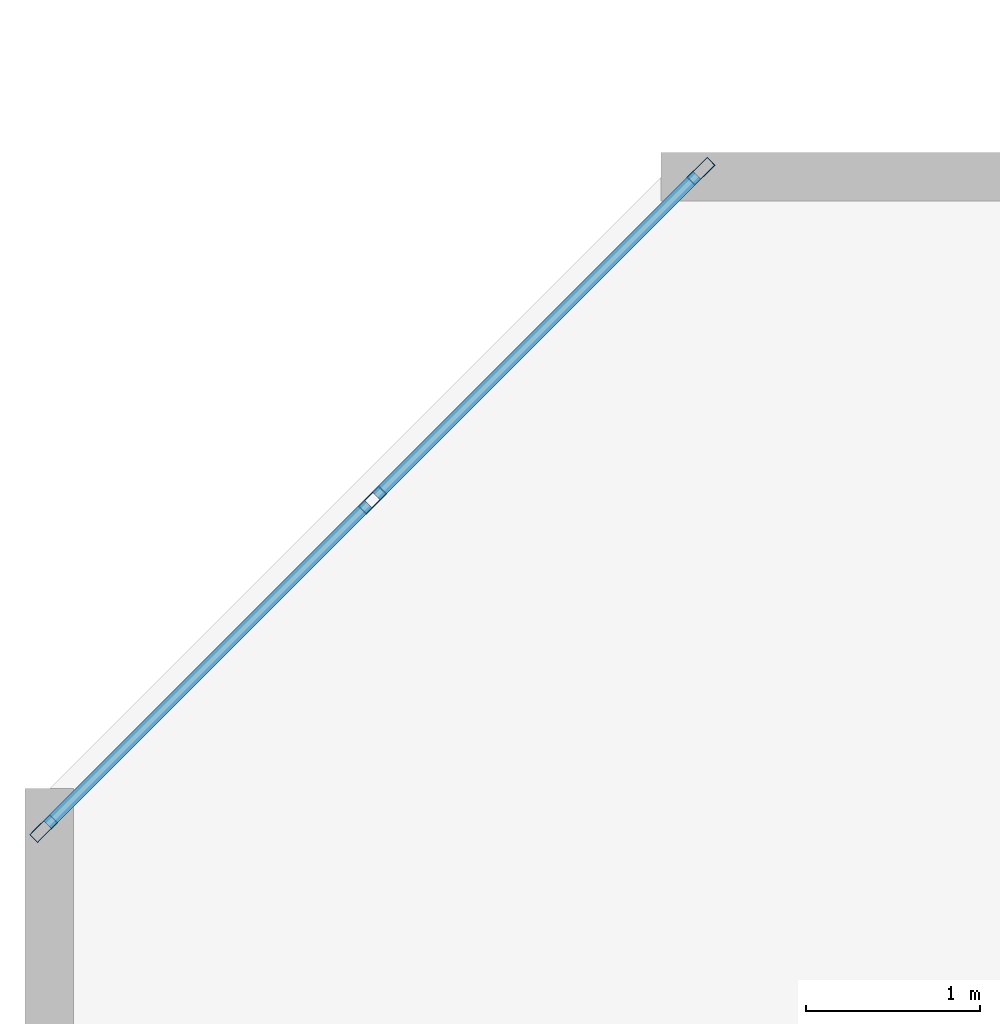
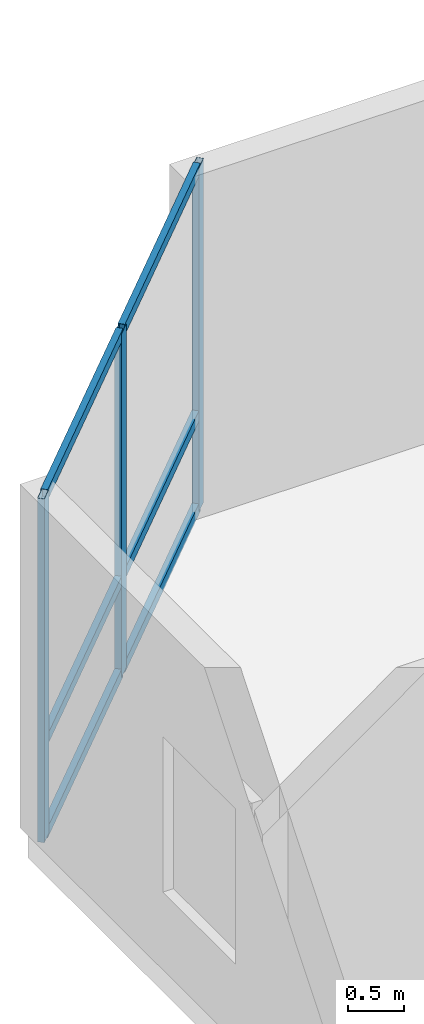
# One storey, part 2 of 10: 9 members, 1 element without a shape of its own.
"""IFC4 building model written with IfcOpenShell, lengths in metres."""

import ifcopenshell
import ifcopenshell.guid

model = None  # the IFC model being written
_history = None  # IfcOwnerHistory: only IFC2X3 demands one
_inside = {}  # id of a spatial element -> (the spatial element, [elements in it])
_under = {}  # id of a project, library or spatial element -> (it, [spatial elements below it])
_declared = {}  # id of a project -> (the project, [libraries it declares])
_typed = {}  # id of a type object -> (the type object, [elements of that type])
_made_of = {}  # id of a material, layer set ... -> (it, [elements and type objects made of it])


def new_model(schema):
    """Start an empty IFC model of exactly this schema.

    Asked for "IFC4X3", IfcOpenShell would pick the latest addendum, in which some entities
    have other attributes; the version numbers below select the first issue.
    IFC2X3 requires an IfcOwnerHistory on every rooted entity: one is made here for all.
    """
    global model, _history
    if schema == "IFC4X3":
        model = ifcopenshell.file(schema_version=(4, 3, 0, 0))
    else:
        model = ifcopenshell.file(schema=schema)
    _inside.clear()
    _under.clear()
    _declared.clear()
    _typed.clear()
    _made_of.clear()
    _history = None
    if model.schema == "IFC2X3":
        org = make("IfcOrganization", Name="unknown")
        user = make(
            "IfcPersonAndOrganization",
            ThePerson=make("IfcPerson", FamilyName="unknown"),
            TheOrganization=org,
        )
        app = make(
            "IfcApplication",
            ApplicationDeveloper=org,
            Version="unknown",
            ApplicationFullName="unknown",
            ApplicationIdentifier="unknown",
        )
        _history = make(
            "IfcOwnerHistory",
            OwningUser=user,
            OwningApplication=app,
            ChangeAction="ADDED",
            CreationDate=0,
        )
    return model


def make(cls, **values):
    """One entity of the class cls with the attributes given. An attribute that is None is left unset."""
    return model.create_entity(
        cls, **{name: value for name, value in values.items() if value is not None}
    )


def rooted(cls, **values):
    """An entity with a GlobalId (a new one), such as an element, a storey or a relation."""
    return make(cls, GlobalId=ifcopenshell.guid.new(), OwnerHistory=_history, **values)


def si_unit(unit_type, name, prefix=None):
    """IfcSIUnit, for example si_unit("LENGTHUNIT", "METRE", prefix="MILLI")."""
    return make("IfcSIUnit", UnitType=unit_type, Prefix=prefix, Name=name)


def assignment(units):
    """IfcUnitAssignment: the units of a project."""
    return None if units is None else make("IfcUnitAssignment", Units=units)


def point(xyz):
    """IfcCartesianPoint."""
    return None if xyz is None else make("IfcCartesianPoint", Coordinates=xyz)


def direction(xyz):
    """IfcDirection."""
    return None if xyz is None else make("IfcDirection", DirectionRatios=xyz)


def frame(location, z_axis=None, x_axis=None):
    """IfcAxis2Placement3D, a coordinate frame: its origin and axes. An axis left out is left unset."""
    return make(
        "IfcAxis2Placement3D",
        Location=point(location),
        Axis=direction(z_axis),
        RefDirection=direction(x_axis),
    )


def frame_2d(location, x_axis=None):
    """IfcAxis2Placement2D, a coordinate frame in the plane: its origin and x axis."""
    return make(
        "IfcAxis2Placement2D", Location=point(location), RefDirection=direction(x_axis)
    )


def origin():
    """The frame at (0, 0, 0) with its axes left unset."""
    return frame((0.0, 0.0, 0.0))


def origin_2d():
    """The frame at (0, 0) in the plane with its x axis left unset."""
    return frame_2d((0.0, 0.0))


def place(relative_to, where):
    """IfcLocalPlacement: puts the frame where relative to a parent placement (None: the world)."""
    return make(
        "IfcLocalPlacement", PlacementRelTo=relative_to, RelativePlacement=where
    )


def context(
    kind, dimensions, precision=None, world=None, true_north=None, identifier=None
):
    """IfcGeometricRepresentationContext, for example the 3D "Model" context."""
    return make(
        "IfcGeometricRepresentationContext",
        ContextIdentifier=identifier,
        ContextType=kind,
        CoordinateSpaceDimension=dimensions,
        Precision=precision,
        WorldCoordinateSystem=world,
        TrueNorth=true_north,
    )


def subcontext(parent, identifier, kind, view, scale=None):
    """IfcGeometricRepresentationSubContext, for example "Body" below "Model"."""
    return make(
        "IfcGeometricRepresentationSubContext",
        ContextIdentifier=identifier,
        ContextType=kind,
        ParentContext=parent,
        TargetScale=scale,
        TargetView=view,
    )


def project(units=None, contexts=None):
    """IfcProject with its units and contexts."""
    return rooted(
        "IfcProject",
        Name="project",
        RepresentationContexts=contexts,
        UnitsInContext=assignment(units),
    )


def spatial(cls, under=None, at=None, **own):
    """A site, building, storey or space (cls), placed at a placement, below another one or the project."""
    s = rooted(cls, ObjectPlacement=at, **own)
    if under is not None:
        _under.setdefault(under.id(), (under, []))[1].append(s)
    return s


def profile(cls, at=None, kind="AREA", **sizes):
    """A parametric profile (cls). Its sizes go by their IFC names, for example OverallWidth=200.0."""
    return make(cls, ProfileType=kind, Position=at, **sizes)


def hollow_rectangle(**sizes):
    """IfcRectangleHollowProfileDef."""
    return profile("IfcRectangleHollowProfileDef", **sizes)


def extrude(swept, where, along, depth):
    """IfcExtrudedAreaSolid: the profile swept, set in the frame where, extruded along a direction by depth."""
    return make(
        "IfcExtrudedAreaSolid",
        SweptArea=swept,
        Position=where,
        ExtrudedDirection=direction(along),
        Depth=depth,
    )


def shape(context_of_items, identifier, shape_type, items):
    """IfcShapeRepresentation: the items that make up one representation, for example the "Body"."""
    return make(
        "IfcShapeRepresentation",
        ContextOfItems=context_of_items,
        RepresentationIdentifier=identifier,
        RepresentationType=shape_type,
        Items=items,
    )


def material(Name=None, Category=None):
    """IfcMaterial."""
    return make("IfcMaterial", Name=Name, Category=Category)


def layer(
    of_material, thickness, ventilated=None, Name=None, Category=None, Priority=None
):
    """IfcMaterialLayer: one layer of a wall or slab, of a material (None: an air gap)."""
    return make(
        "IfcMaterialLayer",
        Material=of_material,
        LayerThickness=thickness,
        IsVentilated=ventilated,
        Name=Name,
        Category=Category,
        Priority=Priority,
    )


def layer_set(layers, Name=None):
    """IfcMaterialLayerSet."""
    return make("IfcMaterialLayerSet", MaterialLayers=layers, LayerSetName=Name)


def material_profile(
    of_material, cross_section, Name=None, Category=None, Priority=None
):
    """IfcMaterialProfile: a cross section and its material."""
    return make(
        "IfcMaterialProfile",
        Name=Name,
        Material=of_material,
        Profile=cross_section,
        Priority=Priority,
        Category=Category,
    )


def profile_set(profiles, Name=None, composite=None):
    """IfcMaterialProfileSet."""
    return make(
        "IfcMaterialProfileSet",
        Name=Name,
        MaterialProfiles=profiles,
        CompositeProfile=composite,
    )


def made_of(thing, what):
    """Note that an element or type object is made of a material, layer set ...; save() writes the relation."""
    if what is not None:
        _made_of.setdefault(what.id(), (what, []))[1].append(thing)
    return thing


def type_object(cls, material=None, **own):
    """A type object (cls), such as IfcWallType, which elements share."""
    return made_of(rooted(cls, **own), material)


def element(
    cls,
    number,
    at=None,
    inside=None,
    cuts=None,
    type_object=None,
    material=None,
    context=None,
    identifier="Body",
    shape_type=None,
    held_by="IfcProductDefinitionShape",
    body=None,
    shapes=None,
    **own,
):
    """One element of the class cls, such as IfcWall. Its Tag is "e" and its number.

    at: its placement. inside: the storey or other place that contains it. cuts: it is an
    opening in that element (IfcRelVoidsElement). A single representation is given by context,
    identifier, shape_type and body (its items); several are given by shapes. held_by: the class
    of the entity that holds the representations. save() writes the other relations.
    """
    e = rooted(cls, Tag="e%d" % number, ObjectPlacement=at, **own)
    if body is not None:
        shapes = [shape(context, identifier, shape_type, body)]
    if shapes is not None:
        e.Representation = make(held_by, Representations=shapes)
    if inside is not None:
        _inside.setdefault(inside.id(), (inside, []))[1].append(e)
    if cuts is not None:
        rooted(
            "IfcRelVoidsElement", RelatingBuildingElement=cuts, RelatedOpeningElement=e
        )
    if type_object is not None:
        _typed.setdefault(type_object.id(), (type_object, []))[1].append(e)
    return made_of(e, material)


def aggregate(whole, parts):
    """IfcRelAggregates: a whole, such as a stair, and the parts it consists of."""
    return rooted("IfcRelAggregates", RelatingObject=whole, RelatedObjects=parts)


def save(model, path):
    """Write the relations noted so far, then the file.

    IfcRelAggregates (storeys below a building ...), IfcRelContainedInSpatialStructure (elements
    in a storey), IfcRelDefinesByType, IfcRelAssociatesMaterial and IfcRelDeclares: one each for
    every whole, place, type object, material and project.
    """
    for whole, parts in _under.values():
        aggregate(whole, parts)
    for where, things in _inside.values():
        rooted(
            "IfcRelContainedInSpatialStructure",
            RelatedElements=things,
            RelatingStructure=where,
        )
    for kind, things in _typed.values():
        rooted("IfcRelDefinesByType", RelatedObjects=things, RelatingType=kind)
    for what, things in _made_of.values():
        rooted("IfcRelAssociatesMaterial", RelatedObjects=things, RelatingMaterial=what)
    for by, libraries in _declared.values():
        rooted("IfcRelDeclares", RelatingContext=by, RelatedDefinitions=libraries)
    model.write(path)


model = new_model("IFC4")

# Units and contexts
model_context = context("Model", 3, precision=1e-05, world=origin(), true_north=direction((0.0, 1.0)))
body_context = subcontext(model_context, "Body", "Model", "MODEL_VIEW")
ifc_project = project(units=[si_unit("LENGTHUNIT", "METRE"), si_unit("AREAUNIT", "SQUARE_METRE"), si_unit("VOLUMEUNIT", "CUBIC_METRE"), si_unit("PLANEANGLEUNIT", "RADIAN"), si_unit("MASSUNIT", "GRAM", prefix="KILO")], contexts=[model_context])

# Site, building, storey
site_placement = place(None, origin())
site = spatial("IfcSite", under=ifc_project, at=site_placement, CompositionType="ELEMENT")
building_placement = place(site_placement, origin())
building = spatial("IfcBuilding", under=site, at=building_placement, Name="Kestravale Grand Hotel", CompositionType="ELEMENT")
storey_placement = place(building_placement, frame((0.0, 0.0, 281.39990234375)))
storey = spatial("IfcBuildingStorey", under=building, at=storey_placement, Name="L70", CompositionType="ELEMENT", Elevation=281.39990234375)

# Curtain wall, members
ifc_material_1 = material(Name="Thermally broken champagne-bronze aluminium and low-E glazing", Category="aluminium")
ifc_layer = layer(ifc_material_1, 0.179931640625)
ifc_layer_set = layer_set([ifc_layer], Name="CW-Z4")
curtain_wall_type = type_object("IfcCurtainWallType", Name="CW-Z4", PredefinedType="NOTDEFINED", material=ifc_layer_set)
curtain_wall_placement = place(storey_placement, origin())
curtain_wall = element("IfcCurtainWall", 1, at=curtain_wall_placement, inside=storey, type_object=curtain_wall_type, Name="L70 unitised curtain wall 18", PredefinedType="NOTDEFINED")
ifc_material_2 = material(Name="Aluminium 6063-T6 anodised", Category="aluminium")
ifc_material_profile_1 = material_profile(ifc_material_2, hollow_rectangle(XDim=0.06494140625, YDim=0.1650390625, WallThickness=0.00341796875, at=origin_2d()))
ifc_profile_set_1 = profile_set([ifc_material_profile_1], Name="Aluminium 6063-T6 anodised")
member_type_1 = type_object("IfcMemberType", Name="CW-MUL-165", PredefinedType="MULLION", material=ifc_profile_set_1)
member_1_placement = place(storey_placement, frame((11.690185546875, 44.59228515625, 0.0), z_axis=(0.0, 0.0, 1.0), x_axis=(0.707106781187, -0.707106781187, 0.0)))
member_1 = element("IfcMember", 2, at=member_1_placement, type_object=member_type_1, Name="CW-Z4 mullion 1", PredefinedType="MULLION", context=body_context, shape_type="SweptSolid", body=[
    extrude(hollow_rectangle(XDim=0.06494140625, YDim=0.1650390625, WallThickness=0.00341796875, at=origin_2d()), origin(), (0.0, 0.0, 1.0), 3.760009765625),
])
member_2_placement = place(storey_placement, frame((9.799072265625, 42.700927734375, 0.0), z_axis=(0.0, 0.0, 1.0), x_axis=(0.707106781187, -0.707106781187, 0.0)))
member_2 = element("IfcMember", 3, at=member_2_placement, type_object=member_type_1, Name="CW-Z4 mullion 2", PredefinedType="MULLION", context=body_context, shape_type="SweptSolid", body=[
    extrude(hollow_rectangle(XDim=0.06494140625, YDim=0.1650390625, WallThickness=0.00341796875, at=origin_2d()), origin(), (0.0, 0.0, 1.0), 3.760009765625),
])
member_3_placement = place(storey_placement, frame((7.90771484375, 40.809814453125, 0.0), z_axis=(0.0, 0.0, 1.0), x_axis=(0.707106781187, -0.707106781187, 0.0)))
member_3 = element("IfcMember", 4, at=member_3_placement, type_object=member_type_1, Name="CW-Z4 mullion 3", PredefinedType="MULLION", context=body_context, shape_type="SweptSolid", body=[
    extrude(hollow_rectangle(XDim=0.06494140625, YDim=0.1650390625, WallThickness=0.00341796875, at=origin_2d()), origin(), (0.0, 0.0, 1.0), 3.760009765625),
])
ifc_material_3 = material(Name="Aluminium 6063-T6 anodised", Category="aluminium")
ifc_material_profile_2 = material_profile(ifc_material_3, hollow_rectangle(XDim=0.06494140625, YDim=0.114990234375, WallThickness=0.003173828125, at=origin_2d()))
ifc_profile_set_2 = profile_set([ifc_material_profile_2], Name="Aluminium 6063-T6 anodised")
member_type_2 = type_object("IfcMemberType", Name="CW-TRN-115", PredefinedType="USERDEFINED", material=ifc_profile_set_2)
member_4_placement = place(storey_placement, frame((11.667236328125, 44.5693359375, 0.03271484375), z_axis=(-0.707060004037, -0.707153555242, 0.0), x_axis=(0.707153555242, -0.707060004037, 0.0)))
member_4 = element("IfcMember", 5, at=member_4_placement, type_object=member_type_2, Name="CW-Z4 transom 1.1", ObjectType="TRANSOM", PredefinedType="USERDEFINED", context=body_context, shape_type="SweptSolid", body=[
    extrude(hollow_rectangle(XDim=0.06494140625, YDim=0.114990234375, WallThickness=0.003173828125, at=origin_2d()), origin(), (0.0, 0.0, 1.0), 2.609619140625),
])
member_5_placement = place(storey_placement, frame((11.667236328125, 44.5693359375, 1.050048828125), z_axis=(-0.707060004037, -0.707153555242, 0.0), x_axis=(0.707153555242, -0.707060004037, 0.0)))
member_5 = element("IfcMember", 6, at=member_5_placement, type_object=member_type_2, Name="CW-Z4 transom 1.2", ObjectType="TRANSOM", PredefinedType="USERDEFINED", context=body_context, shape_type="SweptSolid", body=[
    extrude(hollow_rectangle(XDim=0.06494140625, YDim=0.114990234375, WallThickness=0.003173828125, at=origin_2d()), origin(), (0.0, 0.0, 1.0), 2.609619140625),
])
member_6_placement = place(storey_placement, frame((11.667236328125, 44.5693359375, 3.7275390625), z_axis=(-0.707060004037, -0.707153555242, 0.0), x_axis=(0.707153555242, -0.707060004037, 0.0)))
member_6 = element("IfcMember", 7, at=member_6_placement, type_object=member_type_2, Name="CW-Z4 transom 1.3", ObjectType="TRANSOM", PredefinedType="USERDEFINED", context=body_context, shape_type="SweptSolid", body=[
    extrude(hollow_rectangle(XDim=0.06494140625, YDim=0.114990234375, WallThickness=0.003173828125, at=origin_2d()), origin(), (0.0, 0.0, 1.0), 2.609619140625),
])
member_7_placement = place(storey_placement, frame((9.776123046875, 42.677978515625, 0.03271484375), z_axis=(-0.707153555242, -0.707060004037, 0.0), x_axis=(0.707060004037, -0.707153555242, 0.0)))
member_7 = element("IfcMember", 8, at=member_7_placement, type_object=member_type_2, Name="CW-Z4 transom 2.1", ObjectType="TRANSOM", PredefinedType="USERDEFINED", context=body_context, shape_type="SweptSolid", body=[
    extrude(hollow_rectangle(XDim=0.06494140625, YDim=0.114990234375, WallThickness=0.003173828125, at=origin_2d()), origin(), (0.0, 0.0, 1.0), 2.609619140625),
])
member_8_placement = place(storey_placement, frame((9.776123046875, 42.677978515625, 1.050048828125), z_axis=(-0.707153555242, -0.707060004037, 0.0), x_axis=(0.707060004037, -0.707153555242, 0.0)))
member_8 = element("IfcMember", 9, at=member_8_placement, type_object=member_type_2, Name="CW-Z4 transom 2.2", ObjectType="TRANSOM", PredefinedType="USERDEFINED", context=body_context, shape_type="SweptSolid", body=[
    extrude(hollow_rectangle(XDim=0.06494140625, YDim=0.114990234375, WallThickness=0.003173828125, at=origin_2d()), origin(), (0.0, 0.0, 1.0), 2.609619140625),
])
member_9_placement = place(storey_placement, frame((9.776123046875, 42.677978515625, 3.7275390625), z_axis=(-0.707153555242, -0.707060004037, 0.0), x_axis=(0.707060004037, -0.707153555242, 0.0)))
member_9 = element("IfcMember", 10, at=member_9_placement, type_object=member_type_2, Name="CW-Z4 transom 2.3", ObjectType="TRANSOM", PredefinedType="USERDEFINED", context=body_context, shape_type="SweptSolid", body=[
    extrude(hollow_rectangle(XDim=0.06494140625, YDim=0.114990234375, WallThickness=0.003173828125, at=origin_2d()), origin(), (0.0, 0.0, 1.0), 2.609619140625),
])
aggregate(curtain_wall, [member_1, member_2, member_3, member_4, member_5, member_6, member_7, member_8, member_9])

save(model, "model.ifc")
